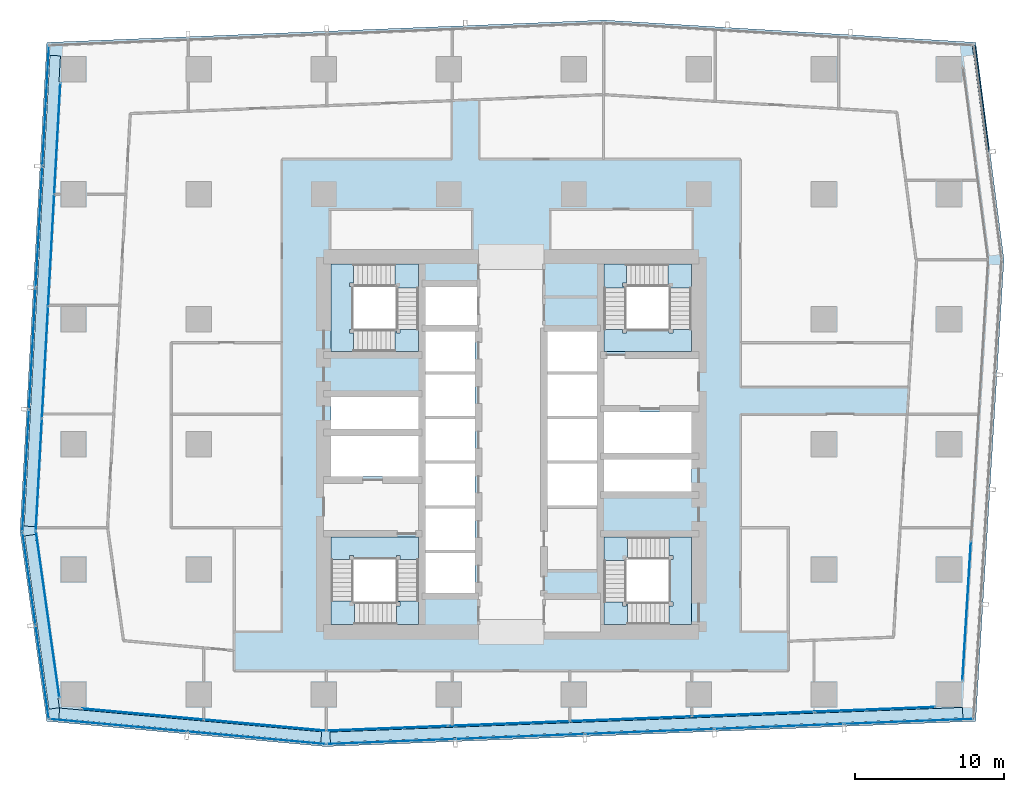
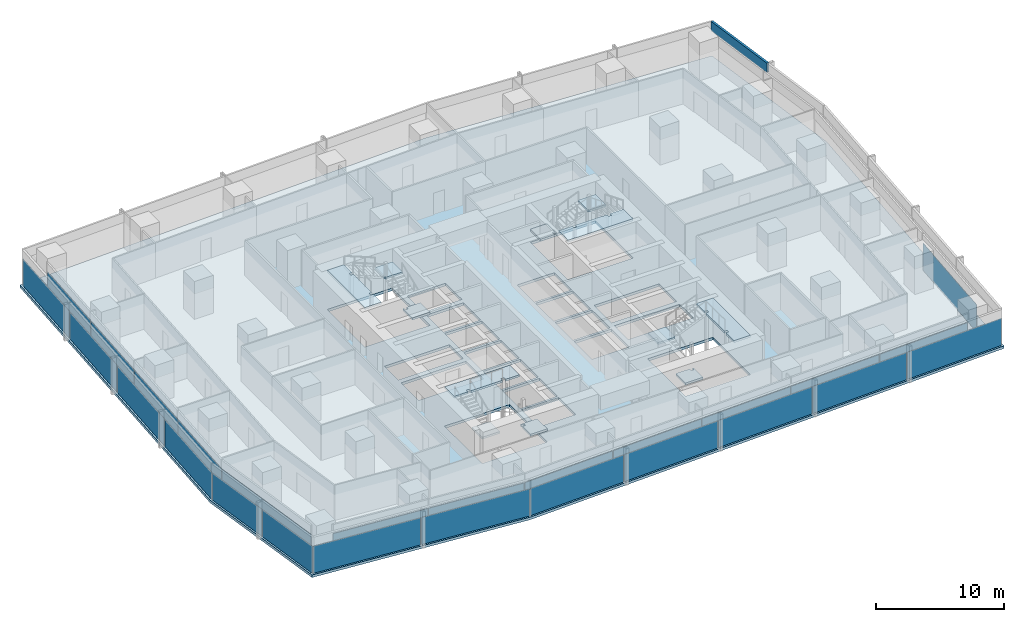
# One storey, part 27 of 40: 30 plates, 13 slabs, 1 member, 14 elements without a shape of their own.
"""IFC4 building model written with IfcOpenShell, lengths in metres."""

from ifc_helpers import new_model, si_unit, direction, frame, origin, origin_2d, place, context, subcontext, project, spatial, polyline, rectangle, hollow_rectangle, outline, extrude, material, layer, layer_set, material_profile, profile_set, type_object, element, aggregate, save


model = new_model("IFC4")

# Units and contexts
model_context = context("Model", 3, precision=1e-05, world=origin(), true_north=direction((0.0, 1.0)))
body_context = subcontext(model_context, "Body", "Model", "MODEL_VIEW")
ifc_project = project(units=[si_unit("LENGTHUNIT", "METRE"), si_unit("AREAUNIT", "SQUARE_METRE"), si_unit("VOLUMEUNIT", "CUBIC_METRE"), si_unit("PLANEANGLEUNIT", "RADIAN"), si_unit("MASSUNIT", "GRAM", prefix="KILO")], contexts=[model_context])

# Site, building, storey
site_placement = place(None, origin())
site = spatial("IfcSite", under=ifc_project, at=site_placement, CompositionType="ELEMENT")
building_placement = place(site_placement, origin())
building = spatial("IfcBuilding", under=site, at=building_placement, Name="Rekha Terrace Tower", CompositionType="ELEMENT")
storey_placement = place(building_placement, frame((0.0, 0.0, 117.800048828125)))
storey = spatial("IfcBuildingStorey", under=building, at=storey_placement, Name="L29", CompositionType="ELEMENT", Elevation=117.800048828125)

# Curtain wall, member
ifc_material_1 = material(Name="Aluminium framing", Category="aluminium")
curtain_wall_type_1 = type_object("IfcCurtainWallType", Name="CW2 double skin outer glazing", PredefinedType="USERDEFINED", material=ifc_material_1)
curtain_wall_1_placement = place(storey_placement, origin())
curtain_wall_1 = element("IfcCurtainWall", 1, at=curtain_wall_1_placement, inside=storey, type_object=curtain_wall_type_1, Name="CW2 double skin outer glazing", ObjectType="DOUBLE SKIN OUTER GLAZING", PredefinedType="USERDEFINED")
ifc_material_2 = material(Name="Insulated aluminium spandrel box", Category="aluminium")
ifc_material_profile = material_profile(ifc_material_2, hollow_rectangle(XDim=0.199951171875, YDim=0.89990234375, WallThickness=0.0029296875, at=origin_2d()), Name="AL SPANDREL BOX 200x900")
ifc_profile_set = profile_set([ifc_material_profile], Name="Insulated aluminium spandrel box")
member_type = type_object("IfcMemberType", Name="CW2 spandrel transom 200 x 900", PredefinedType="USERDEFINED", material=ifc_profile_set)
member_placement = place(storey_placement, frame((69.793701171875, 53.26513671875, 3.050048828125), z_axis=(-0.12912937971, 0.9916277544, 0.0), x_axis=(-0.9916277544, -0.12912937971, 0.0)))
member = element("IfcMember", 2, at=member_placement, type_object=member_type, Name="CW2 spandrel transom 2", ObjectType="TRANSOM", PredefinedType="USERDEFINED", context=body_context, shape_type="SweptSolid", body=[
    extrude(hollow_rectangle(XDim=0.199951171875, YDim=0.89990234375, WallThickness=0.0029296875, at=origin_2d()), origin(), (0.0, 0.0, 1.0), 7.163818359375),
])
aggregate(curtain_wall_1, [member])

# Curtain wall, plates
curtain_wall_type_2 = type_object("IfcCurtainWallType", Name="CW1 double skin inner glazing", PredefinedType="USERDEFINED", material=ifc_material_1)
curtain_wall_2_placement = place(storey_placement, origin())
curtain_wall_2 = element("IfcCurtainWall", 3, at=curtain_wall_2_placement, inside=storey, type_object=curtain_wall_type_2, Name="CW1 double skin inner glazing", ObjectType="DOUBLE SKIN INNER GLAZING", PredefinedType="USERDEFINED")
ifc_material_3 = material(Name="Double-glazed low-e unit 32", Category="glass")
ifc_layer_1 = layer(ifc_material_3, 0.031982421875)
ifc_layer_set_1 = layer_set([ifc_layer_1], Name="Double-glazed low-e unit 32")
plate_type_1 = type_object("IfcPlateType", Name="CW1 jumbo vision panel, double-glazed low-e unit 32", PredefinedType="CURTAIN_PANEL", material=ifc_layer_set_1)
plate_1_placement = place(storey_placement, frame((13.0439453125, 15.479248046875, 0.0), z_axis=(0.0, 0.0, 1.0), x_axis=(0.995901923142, -0.090439811381, 0.0)))
plate_1 = element("IfcPlate", 4, at=plate_1_placement, type_object=plate_type_1, Name="CW1 panel 1.1", PredefinedType="CURTAIN_PANEL", context=body_context, shape_type="SweptSolid", body=[
    extrude(rectangle(XDim=8.1494140625, YDim=0.031982421875, at=origin_2d()), origin(), (0.0, 0.0, 1.0), 2.60009765625),
])
plate_2_placement = place(storey_placement, frame((21.257080078125, 14.7333984375, 0.0), z_axis=(0.0, 0.0, 1.0), x_axis=(0.995901923142, -0.090439811381, 0.0)))
plate_2 = element("IfcPlate", 5, at=plate_2_placement, type_object=plate_type_1, Name="CW1 panel 2.1", PredefinedType="CURTAIN_PANEL", context=body_context, shape_type="SweptSolid", body=[
    extrude(rectangle(XDim=8.214599609375, YDim=0.031982421875, at=origin_2d()), origin(), (0.0, 0.0, 1.0), 2.60009765625),
])
aggregate(curtain_wall_2, [plate_1, plate_2])

curtain_wall_3_placement = place(storey_placement, origin())
curtain_wall_3 = element("IfcCurtainWall", 6, at=curtain_wall_3_placement, inside=storey, type_object=curtain_wall_type_2, Name="CW1 double skin inner glazing", ObjectType="DOUBLE SKIN INNER GLAZING", PredefinedType="USERDEFINED")
plate_3_placement = place(storey_placement, frame((29.4619140625, 14.52197265625, 0.0), z_axis=(0.0, 0.0, 1.0), x_axis=(0.999243498917, 0.038889971345, 0.0)))
plate_3 = element("IfcPlate", 7, at=plate_3_placement, type_object=plate_type_1, Name="CW1 panel 1.1", PredefinedType="CURTAIN_PANEL", context=body_context, shape_type="SweptSolid", body=[
    extrude(rectangle(XDim=8.105224609375, YDim=0.031982421875, at=origin_2d()), origin(), (0.0, 0.0, 1.0), 2.60009765625),
])
plate_4_placement = place(storey_placement, frame((37.64208984375, 14.84033203125, 0.0), z_axis=(0.0, 0.0, 1.0), x_axis=(0.999243498917, 0.038889971345, 0.0)))
plate_4 = element("IfcPlate", 8, at=plate_4_placement, type_object=plate_type_1, Name="CW1 panel 2.1", PredefinedType="CURTAIN_PANEL", context=body_context, shape_type="SweptSolid", body=[
    extrude(rectangle(XDim=8.1376953125, YDim=0.031982421875, at=origin_2d()), origin(), (0.0, 0.0, 1.0), 2.60009765625),
])
plate_5_placement = place(storey_placement, frame((45.838623046875, 15.159423828125, 0.0), z_axis=(0.0, 0.0, 1.0), x_axis=(0.999243498917, 0.038889971345, 0.0)))
plate_5 = element("IfcPlate", 9, at=plate_5_placement, type_object=plate_type_1, Name="CW1 panel 3.1", PredefinedType="CURTAIN_PANEL", context=body_context, shape_type="SweptSolid", body=[
    extrude(rectangle(XDim=8.1376953125, YDim=0.031982421875, at=origin_2d()), origin(), (0.0, 0.0, 1.0), 2.60009765625),
])
plate_6_placement = place(storey_placement, frame((54.034912109375, 15.478271484375, 0.0), z_axis=(0.0, 0.0, 1.0), x_axis=(0.999243498917, 0.038889971345, 0.0)))
plate_6 = element("IfcPlate", 10, at=plate_6_placement, type_object=plate_type_1, Name="CW1 panel 4.1", PredefinedType="CURTAIN_PANEL", context=body_context, shape_type="SweptSolid", body=[
    extrude(rectangle(XDim=8.1376953125, YDim=0.031982421875, at=origin_2d()), origin(), (0.0, 0.0, 1.0), 2.60009765625),
])
plate_7_placement = place(storey_placement, frame((62.21533203125, 15.796630859375, 0.0), z_axis=(0.0, 0.0, 1.0), x_axis=(0.999243498917, 0.038889971345, 0.0)))
plate_7 = element("IfcPlate", 11, at=plate_7_placement, type_object=plate_type_1, Name="CW1 panel 5.1", PredefinedType="CURTAIN_PANEL", context=body_context, shape_type="SweptSolid", body=[
    extrude(rectangle(XDim=8.105224609375, YDim=0.031982421875, at=origin_2d()), origin(), (0.0, 0.0, 1.0), 2.60009765625),
])
aggregate(curtain_wall_3, [plate_3, plate_4, plate_5, plate_6, plate_7])

# Curtain wall, plate
curtain_wall_4_placement = place(storey_placement, origin())
curtain_wall_4 = element("IfcCurtainWall", 12, at=curtain_wall_4_placement, inside=storey, type_object=curtain_wall_type_2, Name="CW1 double skin inner glazing", ObjectType="DOUBLE SKIN INNER GLAZING", PredefinedType="USERDEFINED")
plate_8_placement = place(storey_placement, frame((68.391357421875, 22.400634765625, 0.0), z_axis=(0.0, 0.0, 1.0), x_axis=(0.061159803131, 0.998127987024, 0.0)))
plate_8 = element("IfcPlate", 13, at=plate_8_placement, type_object=plate_type_1, Name="CW1 panel 1.1", PredefinedType="CURTAIN_PANEL", context=body_context, shape_type="SweptSolid", body=[
    extrude(rectangle(XDim=9.355224609375, YDim=0.031982421875, at=origin_2d()), origin(), (0.0, 0.0, 1.0), 2.60009765625),
])
aggregate(curtain_wall_4, [plate_8])

# Curtain wall, plates
curtain_wall_5_placement = place(storey_placement, origin())
curtain_wall_5 = element("IfcCurtainWall", 14, at=curtain_wall_5_placement, inside=storey, type_object=curtain_wall_type_2, Name="CW1 double skin inner glazing", ObjectType="DOUBLE SKIN INNER GLAZING", PredefinedType="USERDEFINED")
plate_9_placement = place(storey_placement, frame((7.30810546875, 54.15087890625, 0.0), z_axis=(0.0, 0.0, 1.0), x_axis=(-0.054742352707, -0.99850051318, 0.0)))
plate_9 = element("IfcPlate", 15, at=plate_9_placement, type_object=plate_type_1, Name="CW1 panel 1.1", PredefinedType="CURTAIN_PANEL", context=body_context, shape_type="SweptSolid", body=[
    extrude(rectangle(XDim=7.443359375, YDim=0.031982421875, at=origin_2d()), origin(), (0.0, 0.0, 1.0), 2.60009765625),
])
plate_10_placement = place(storey_placement, frame((6.89599609375, 46.637451171875, 0.0), z_axis=(0.0, 0.0, 1.0), x_axis=(-0.054742352707, -0.99850051318, 0.0)))
plate_10 = element("IfcPlate", 16, at=plate_10_placement, type_object=plate_type_1, Name="CW1 panel 2.1", PredefinedType="CURTAIN_PANEL", context=body_context, shape_type="SweptSolid", body=[
    extrude(rectangle(XDim=7.475830078125, YDim=0.031982421875, at=origin_2d()), origin(), (0.0, 0.0, 1.0), 2.60009765625),
])
plate_11_placement = place(storey_placement, frame((6.4833984375, 39.10791015625, 0.0), z_axis=(0.0, 0.0, 1.0), x_axis=(-0.054742352707, -0.99850051318, 0.0)))
plate_11 = element("IfcPlate", 17, at=plate_11_placement, type_object=plate_type_1, Name="CW1 panel 3.1", PredefinedType="CURTAIN_PANEL", context=body_context, shape_type="SweptSolid", body=[
    extrude(rectangle(XDim=7.475830078125, YDim=0.031982421875, at=origin_2d()), origin(), (0.0, 0.0, 1.0), 2.60009765625),
])
plate_12_placement = place(storey_placement, frame((6.069580078125, 31.56201171875, 0.0), z_axis=(0.0, 0.0, 1.0), x_axis=(-0.054742352707, -0.99850051318, 0.0)))
plate_12 = element("IfcPlate", 18, at=plate_12_placement, type_object=plate_type_1, Name="CW1 panel 4.1", PredefinedType="CURTAIN_PANEL", context=body_context, shape_type="SweptSolid", body=[
    extrude(rectangle(XDim=7.508544921875, YDim=0.031982421875, at=origin_2d()), origin(), (0.0, 0.0, 1.0), 2.60009765625),
])
aggregate(curtain_wall_5, [plate_9, plate_10, plate_11, plate_12])

# Curtain wall, plate
curtain_wall_6_placement = place(storey_placement, origin())
curtain_wall_6 = element("IfcCurtainWall", 19, at=curtain_wall_6_placement, inside=storey, type_object=curtain_wall_type_2, Name="CW1 double skin inner glazing", ObjectType="DOUBLE SKIN INNER GLAZING", PredefinedType="USERDEFINED")
plate_13_placement = place(storey_placement, frame((6.65869140625, 22.177490234375, 0.0), z_axis=(0.0, 0.0, 1.0), x_axis=(0.139597048082, -0.990208394312, 0.0)))
plate_13 = element("IfcPlate", 20, at=plate_13_placement, type_object=plate_type_1, Name="CW1 panel 1.1", PredefinedType="CURTAIN_PANEL", context=body_context, shape_type="SweptSolid", body=[
    extrude(rectangle(XDim=11.253173828125, YDim=0.031982421875, at=origin_2d()), origin(), (0.0, 0.0, 1.0), 2.60009765625),
])
aggregate(curtain_wall_6, [plate_13])

# Curtain wall, plates
curtain_wall_7_placement = place(storey_placement, origin())
curtain_wall_7 = element("IfcCurtainWall", 21, at=curtain_wall_7_placement, inside=storey, type_object=curtain_wall_type_1, Name="CW2 double skin outer glazing", ObjectType="DOUBLE SKIN OUTER GLAZING", PredefinedType="USERDEFINED")
ifc_material_4 = material(Name="Toughened single glazing 12", Category="glass")
ifc_layer_2 = layer(ifc_material_4, 0.011962890625)
ifc_layer_set_2 = layer_set([ifc_layer_2], Name="Toughened single glazing 12")
plate_type_2 = type_object("IfcPlateType", Name="CW2 jumbo vision panel, toughened single glazing 12", PredefinedType="CURTAIN_PANEL", material=ifc_layer_set_2)
plate_14_placement = place(storey_placement, frame((11.406494140625, 14.72412109375, 0.0), z_axis=(0.0, 0.0, 1.0), x_axis=(0.995901923137, -0.090439811433, 0.0)))
plate_14 = element("IfcPlate", 22, at=plate_14_placement, type_object=plate_type_2, Name="CW2 panel 1.1", PredefinedType="CURTAIN_PANEL", context=body_context, shape_type="SweptSolid", body=[
    extrude(rectangle(XDim=9.2099609375, YDim=0.011962890625, at=origin_2d()), origin(), (0.0, 0.0, 1.0), 2.60009765625),
])
plate_15_placement = place(storey_placement, frame((20.6982421875, 13.88037109375, 0.0), z_axis=(0.0, 0.0, 1.0), x_axis=(0.995901923137, -0.090439811433, 0.0)))
plate_15 = element("IfcPlate", 23, at=plate_15_placement, type_object=plate_type_2, Name="CW2 panel 2.1", PredefinedType="CURTAIN_PANEL", context=body_context, shape_type="SweptSolid", body=[
    extrude(rectangle(XDim=9.2900390625, YDim=0.011962890625, at=origin_2d()), origin(), (0.0, 0.0, 1.0), 2.60009765625),
])
aggregate(curtain_wall_7, [plate_14, plate_15])

curtain_wall_8_placement = place(storey_placement, origin())
curtain_wall_8 = element("IfcCurtainWall", 24, at=curtain_wall_8_placement, inside=storey, type_object=curtain_wall_type_1, Name="CW2 double skin outer glazing", ObjectType="DOUBLE SKIN OUTER GLAZING", PredefinedType="USERDEFINED")
plate_16_placement = place(storey_placement, frame((29.696533203125, 13.63037109375, 0.0), z_axis=(0.0, 0.0, 1.0), x_axis=(0.999243498917, 0.038889971345, 0.0)))
plate_16 = element("IfcPlate", 25, at=plate_16_placement, type_object=plate_type_2, Name="CW2 panel 1.1", PredefinedType="CURTAIN_PANEL", context=body_context, shape_type="SweptSolid", body=[
    extrude(rectangle(XDim=8.591552734375, YDim=0.011962890625, at=origin_2d()), origin(), (0.0, 0.0, 1.0), 2.60009765625),
])
plate_17_placement = place(storey_placement, frame((38.381591796875, 13.968505859375, 0.0), z_axis=(0.0, 0.0, 1.0), x_axis=(0.999243498917, 0.038889971345, 0.0)))
plate_17 = element("IfcPlate", 26, at=plate_17_placement, type_object=plate_type_2, Name="CW2 panel 2.1", PredefinedType="CURTAIN_PANEL", context=body_context, shape_type="SweptSolid", body=[
    extrude(rectangle(XDim=8.631591796875, YDim=0.011962890625, at=origin_2d()), origin(), (0.0, 0.0, 1.0), 2.60009765625),
])
plate_18_placement = place(storey_placement, frame((47.086669921875, 14.307373046875, 0.0), z_axis=(0.0, 0.0, 1.0), x_axis=(0.999243498917, 0.038889971345, 0.0)))
plate_18 = element("IfcPlate", 27, at=plate_18_placement, type_object=plate_type_2, Name="CW2 panel 3.1", PredefinedType="CURTAIN_PANEL", context=body_context, shape_type="SweptSolid", body=[
    extrude(rectangle(XDim=8.631591796875, YDim=0.011962890625, at=origin_2d()), origin(), (0.0, 0.0, 1.0), 2.60009765625),
])
plate_19_placement = place(storey_placement, frame((55.791748046875, 14.64599609375, 0.0), z_axis=(0.0, 0.0, 1.0), x_axis=(0.999243498917, 0.038889971345, 0.0)))
plate_19 = element("IfcPlate", 28, at=plate_19_placement, type_object=plate_type_2, Name="CW2 panel 4.1", PredefinedType="CURTAIN_PANEL", context=body_context, shape_type="SweptSolid", body=[
    extrude(rectangle(XDim=8.631591796875, YDim=0.011962890625, at=origin_2d()), origin(), (0.0, 0.0, 1.0), 2.60009765625),
])
plate_20_placement = place(storey_placement, frame((64.5166015625, 14.985595703125, 0.0), z_axis=(0.0, 0.0, 1.0), x_axis=(0.999243498917, 0.038889971345, 0.0)))
plate_20 = element("IfcPlate", 29, at=plate_20_placement, type_object=plate_type_2, Name="CW2 panel 5.1", PredefinedType="CURTAIN_PANEL", context=body_context, shape_type="SweptSolid", body=[
    extrude(rectangle(XDim=8.671630859375, YDim=0.011962890625, at=origin_2d()), origin(), (0.0, 0.0, 1.0), 2.60009765625),
])
aggregate(curtain_wall_8, [plate_16, plate_17, plate_18, plate_19, plate_20])

curtain_wall_9_placement = place(storey_placement, origin())
curtain_wall_9 = element("IfcCurtainWall", 30, at=curtain_wall_9_placement, inside=storey, type_object=curtain_wall_type_1, Name="CW2 double skin outer glazing", ObjectType="DOUBLE SKIN OUTER GLAZING", PredefinedType="USERDEFINED")
plate_21_placement = place(storey_placement, frame((6.52685546875, 56.342041015625, 0.0), z_axis=(0.0, 0.0, 1.0), x_axis=(-0.054742352707, -0.99850051318, 0.0)))
plate_21 = element("IfcPlate", 31, at=plate_21_placement, type_object=plate_type_2, Name="CW2 panel 1.1", PredefinedType="CURTAIN_PANEL", context=body_context, shape_type="SweptSolid", body=[
    extrude(rectangle(XDim=8.06005859375, YDim=0.011962890625, at=origin_2d()), origin(), (0.0, 0.0, 1.0), 2.60009765625),
])
plate_22_placement = place(storey_placement, frame((6.080078125, 48.1943359375, 0.0), z_axis=(0.0, 0.0, 1.0), x_axis=(-0.054742352707, -0.99850051318, 0.0)))
plate_22 = element("IfcPlate", 32, at=plate_22_placement, type_object=plate_type_2, Name="CW2 panel 2.1", PredefinedType="CURTAIN_PANEL", context=body_context, shape_type="SweptSolid", body=[
    extrude(rectangle(XDim=8.10009765625, YDim=0.011962890625, at=origin_2d()), origin(), (0.0, 0.0, 1.0), 2.60009765625),
])
plate_23_placement = place(storey_placement, frame((5.63232421875, 40.026611328125, 0.0), z_axis=(0.0, 0.0, 1.0), x_axis=(-0.054742352707, -0.99850051318, 0.0)))
plate_23 = element("IfcPlate", 33, at=plate_23_placement, type_object=plate_type_2, Name="CW2 panel 3.1", PredefinedType="CURTAIN_PANEL", context=body_context, shape_type="SweptSolid", body=[
    extrude(rectangle(XDim=8.10009765625, YDim=0.011962890625, at=origin_2d()), origin(), (0.0, 0.0, 1.0), 2.60009765625),
])
plate_24_placement = place(storey_placement, frame((5.183349609375, 31.8388671875, 0.0), z_axis=(0.0, 0.0, 1.0), x_axis=(-0.054742352707, -0.99850051318, 0.0)))
plate_24 = element("IfcPlate", 34, at=plate_24_placement, type_object=plate_type_2, Name="CW2 panel 4.1", PredefinedType="CURTAIN_PANEL", context=body_context, shape_type="SweptSolid", body=[
    extrude(rectangle(XDim=8.14013671875, YDim=0.011962890625, at=origin_2d()), origin(), (0.0, 0.0, 1.0), 2.60009765625),
])
aggregate(curtain_wall_9, [plate_21, plate_22, plate_23, plate_24])

curtain_wall_10_placement = place(storey_placement, origin())
curtain_wall_10 = element("IfcCurtainWall", 35, at=curtain_wall_10_placement, inside=storey, type_object=curtain_wall_type_1, Name="CW2 double skin outer glazing", ObjectType="DOUBLE SKIN OUTER GLAZING", PredefinedType="USERDEFINED")
plate_25_placement = place(storey_placement, frame((5.408447265625, 24.598388671875, 0.0), z_axis=(0.0, 0.0, 1.0), x_axis=(0.139597048082, -0.990208394312, 0.0)))
plate_25 = element("IfcPlate", 36, at=plate_25_placement, type_object=plate_type_2, Name="CW2 panel 1.1", PredefinedType="CURTAIN_PANEL", context=body_context, shape_type="SweptSolid", body=[
    extrude(rectangle(XDim=6.255859375, YDim=0.011962890625, at=origin_2d()), origin(), (0.0, 0.0, 1.0), 2.60009765625),
])
plate_26_placement = place(storey_placement, frame((6.298583984375, 18.284912109375, 0.0), z_axis=(0.0, 0.0, 1.0), x_axis=(0.139597048082, -0.990208394312, 0.0)))
plate_26 = element("IfcPlate", 37, at=plate_26_placement, type_object=plate_type_2, Name="CW2 panel 2.1", PredefinedType="CURTAIN_PANEL", context=body_context, shape_type="SweptSolid", body=[
    extrude(rectangle(XDim=6.3359375, YDim=0.011962890625, at=origin_2d()), origin(), (0.0, 0.0, 1.0), 2.60009765625),
])
aggregate(curtain_wall_10, [plate_25, plate_26])

# Plates
ifc_material_5 = material(Name="Galvanised steel open grating", Category="steel")
ifc_layer_3 = layer(ifc_material_5, 0.050048828125)
ifc_layer_set_3 = layer_set([ifc_layer_3], Name="Galvanised steel open grating")
plate_type_3 = type_object("IfcPlateType", Name="GT1 cavity walkway grating 50", PredefinedType="USERDEFINED", material=ifc_layer_set_3)
plate_27_placement = place(storey_placement, frame((16.236083984375, 14.737548828125, 0.0), z_axis=(0.0, 0.0, 1.0), x_axis=(0.99590192314, -0.090439811399, 0.0)))
element("IfcPlate", 38, at=plate_27_placement, inside=storey, type_object=plate_type_3, Name="Cavity walkway grating", ObjectType="CAVITY WALKWAY GRATING", PredefinedType="USERDEFINED", context=body_context, shape_type="SweptSolid", body=[
    extrude(rectangle(XDim=17.674072265625, YDim=0.705078125, at=origin_2d()), origin(), (0.0, 0.0, 1.0), 0.050048828125),
])
plate_28_placement = place(storey_placement, frame((46.88037109375, 14.74951171875, 0.0), z_axis=(0.0, 0.0, 1.0), x_axis=(0.999243498917, 0.038889971345, 0.0)))
element("IfcPlate", 39, at=plate_28_placement, inside=storey, type_object=plate_type_3, Name="Cavity walkway grating", ObjectType="CAVITY WALKWAY GRATING", PredefinedType="USERDEFINED", context=body_context, shape_type="SweptSolid", body=[
    extrude(rectangle(XDim=42.521728515625, YDim=0.705078125, at=origin_2d()), origin(), (0.0, 0.0, 1.0), 0.050048828125),
])
plate_29_placement = place(storey_placement, frame((6.295654296875, 43.9033203125, 0.0), z_axis=(0.0, 0.0, 1.0), x_axis=(-0.05474235269, -0.998500513181, 0.0)))
element("IfcPlate", 40, at=plate_29_placement, inside=storey, type_object=plate_type_3, Name="Cavity walkway grating", ObjectType="CAVITY WALKWAY GRATING", PredefinedType="USERDEFINED", context=body_context, shape_type="SweptSolid", body=[
    extrude(rectangle(XDim=31.6669921875, YDim=0.705078125, at=origin_2d()), origin(), (0.0, 0.0, 1.0), 0.050048828125),
])
plate_30_placement = place(storey_placement, frame((6.2744140625, 21.678955078125, 0.0), z_axis=(0.0, 0.0, 1.0), x_axis=(0.139597048064, -0.990208394315, 0.0)))
element("IfcPlate", 41, at=plate_30_placement, inside=storey, type_object=plate_type_3, Name="Cavity walkway grating", ObjectType="CAVITY WALKWAY GRATING", PredefinedType="USERDEFINED", context=body_context, shape_type="SweptSolid", body=[
    extrude(rectangle(XDim=11.751220703125, YDim=0.705078125, at=origin_2d()), origin(), (0.0, 0.0, 1.0), 0.050048828125),
])

# Stair, slabs
ifc_material_6 = material(Name="Concrete M40", Category="concrete")
stair_type = type_object("IfcStairType", Name="ST30 stair, 30 risers of 125, going 310, 1500 wide flights, 3 flights", PredefinedType="HALF_TURN_STAIR", material=ifc_material_6)
stair_1_placement = place(storey_placement, origin())
stair_1 = element("IfcStair", 42, at=stair_1_placement, inside=storey, type_object=stair_type, Name="Stair ST1 L29 to L30", PredefinedType="HALF_TURN_STAIR")
ifc_layer_4 = layer(ifc_material_6, 0.199951171875)
ifc_layer_set_4 = layer_set([ifc_layer_4], Name="Concrete M40")
slab_type_1 = type_object("IfcSlabType", Name="LD1 200 concrete stair landing", PredefinedType="LANDING", material=ifc_layer_set_4)
slab_1_placement = place(storey_placement, frame((0.0, 0.0, 1.050048828125)))
slab_1 = element("IfcSlab", 43, at=slab_1_placement, type_object=slab_type_1, Name="ST1 landing 1", PredefinedType="LANDING", context=body_context, shape_type="SweptSolid", body=[
    extrude(outline(polyline([(30.074951171875, 21.5), (31.574951171875, 21.5), (31.574951171875, 23.0849609375), (30.074951171875, 23.0849609375), (30.074951171875, 23.0), (30.324951171875, 23.0), (30.324951171875, 22.75), (30.074951171875, 22.75), (30.074951171875, 21.5)])), origin(), (0.0, 0.0, 1.0), 0.199951171875),
])
slab_2_placement = place(storey_placement, frame((0.0, 0.0, 2.300048828125)))
slab_2 = element("IfcSlab", 44, at=slab_2_placement, type_object=slab_type_1, Name="ST1 landing 2", PredefinedType="LANDING", context=body_context, shape_type="SweptSolid", body=[
    extrude(outline(polyline([(27.199951171875, 23.0849609375), (25.699951171875, 23.0849609375), (25.699951171875, 21.5), (27.284912109375, 21.5), (27.284912109375, 23.0), (27.199951171875, 23.0), (27.199951171875, 23.0849609375)])), origin(), (0.0, 0.0, 1.0), 0.199951171875),
])
slab_3_placement = place(storey_placement, frame((0.0, 0.0, 3.550048828125)))
slab_3 = element("IfcSlab", 45, at=slab_3_placement, type_object=slab_type_1, Name="ST1 landing 3", PredefinedType="LANDING", context=body_context, shape_type="SweptSolid", body=[
    extrude(outline(polyline([(31.574951171875, 25.875), (31.574951171875, 27.375), (25.699951171875, 27.375), (25.699951171875, 25.875), (26.949951171875, 25.875), (26.949951171875, 26.125), (27.199951171875, 26.125), (27.199951171875, 25.875), (30.074951171875, 25.875), (30.074951171875, 26.125), (30.324951171875, 26.125), (30.324951171875, 25.875), (31.574951171875, 25.875)])), origin(), (0.0, 0.0, 1.0), 0.199951171875),
])
aggregate(stair_1, [slab_1, slab_2, slab_3])

stair_2_placement = place(storey_placement, origin())
stair_2 = element("IfcStair", 46, at=stair_2_placement, inside=storey, type_object=stair_type, Name="Stair ST2 L29 to L30", PredefinedType="HALF_TURN_STAIR")
slab_4_placement = place(storey_placement, frame((0.0, 0.0, 1.050048828125)))
slab_4 = element("IfcSlab", 47, at=slab_4_placement, type_object=slab_type_1, Name="ST2 landing 1", PredefinedType="LANDING", context=body_context, shape_type="SweptSolid", body=[
    extrude(outline(polyline([(45.52490234375, 45.699951171875), (44.02490234375, 45.699951171875), (44.02490234375, 44.114990234375), (45.52490234375, 44.114990234375), (45.52490234375, 44.199951171875), (45.27490234375, 44.199951171875), (45.27490234375, 44.449951171875), (45.52490234375, 44.449951171875), (45.52490234375, 45.699951171875)])), origin(), (0.0, 0.0, 1.0), 0.199951171875),
])
slab_5_placement = place(storey_placement, frame((0.0, 0.0, 2.300048828125)))
slab_5 = element("IfcSlab", 48, at=slab_5_placement, type_object=slab_type_1, Name="ST2 landing 2", PredefinedType="LANDING", context=body_context, shape_type="SweptSolid", body=[
    extrude(outline(polyline([(48.39990234375, 44.114990234375), (49.89990234375, 44.114990234375), (49.89990234375, 45.699951171875), (48.31494140625, 45.699951171875), (48.31494140625, 44.199951171875), (48.39990234375, 44.199951171875), (48.39990234375, 44.114990234375)])), origin(), (0.0, 0.0, 1.0), 0.199951171875),
])
slab_6_placement = place(storey_placement, frame((0.0, 0.0, 3.550048828125)))
slab_6 = element("IfcSlab", 49, at=slab_6_placement, type_object=slab_type_1, Name="ST2 landing 3", PredefinedType="LANDING", context=body_context, shape_type="SweptSolid", body=[
    extrude(outline(polyline([(44.02490234375, 41.324951171875), (44.02490234375, 39.824951171875), (49.89990234375, 39.824951171875), (49.89990234375, 41.324951171875), (48.64990234375, 41.324951171875), (48.64990234375, 41.074951171875), (48.39990234375, 41.074951171875), (48.39990234375, 41.324951171875), (45.52490234375, 41.324951171875), (45.52490234375, 41.074951171875), (45.27490234375, 41.074951171875), (45.27490234375, 41.324951171875), (44.02490234375, 41.324951171875)])), origin(), (0.0, 0.0, 1.0), 0.199951171875),
])
aggregate(stair_2, [slab_4, slab_5, slab_6])

stair_3_placement = place(storey_placement, origin())
stair_3 = element("IfcStair", 50, at=stair_3_placement, inside=storey, type_object=stair_type, Name="Stair ST3 L29 to L30", PredefinedType="HALF_TURN_STAIR")
slab_7_placement = place(storey_placement, frame((0.0, 0.0, 1.050048828125)))
slab_7 = element("IfcSlab", 51, at=slab_7_placement, type_object=slab_type_1, Name="ST3 landing 1", PredefinedType="LANDING", context=body_context, shape_type="SweptSolid", body=[
    extrude(outline(polyline([(44.02490234375, 23.0), (44.02490234375, 21.5), (45.610107421875, 21.5), (45.610107421875, 23.0), (45.52490234375, 23.0), (45.52490234375, 22.75), (45.27490234375, 22.75), (45.27490234375, 23.0), (44.02490234375, 23.0)])), origin(), (0.0, 0.0, 1.0), 0.199951171875),
])
slab_8_placement = place(storey_placement, frame((0.0, 0.0, 2.300048828125)))
slab_8 = element("IfcSlab", 52, at=slab_8_placement, type_object=slab_type_1, Name="ST3 landing 2", PredefinedType="LANDING", context=body_context, shape_type="SweptSolid", body=[
    extrude(outline(polyline([(45.610107421875, 25.875), (45.610107421875, 27.375), (44.02490234375, 27.375), (44.02490234375, 25.7900390625), (45.52490234375, 25.7900390625), (45.52490234375, 25.875), (45.610107421875, 25.875)])), origin(), (0.0, 0.0, 1.0), 0.199951171875),
])
slab_9_placement = place(storey_placement, frame((0.0, 0.0, 3.550048828125)))
slab_9 = element("IfcSlab", 53, at=slab_9_placement, type_object=slab_type_1, Name="ST3 landing 3", PredefinedType="LANDING", context=body_context, shape_type="SweptSolid", body=[
    extrude(outline(polyline([(48.39990234375, 21.5), (49.89990234375, 21.5), (49.89990234375, 27.375), (48.39990234375, 27.375), (48.39990234375, 26.125), (48.64990234375, 26.125), (48.64990234375, 25.875), (48.39990234375, 25.875), (48.39990234375, 23.0), (48.64990234375, 23.0), (48.64990234375, 22.75), (48.39990234375, 22.75), (48.39990234375, 21.5)])), origin(), (0.0, 0.0, 1.0), 0.199951171875),
])
aggregate(stair_3, [slab_7, slab_8, slab_9])

stair_4_placement = place(storey_placement, origin())
stair_4 = element("IfcStair", 54, at=stair_4_placement, inside=storey, type_object=stair_type, Name="Stair ST4 L29 to L30", PredefinedType="HALF_TURN_STAIR")
slab_10_placement = place(storey_placement, frame((0.0, 0.0, 1.050048828125)))
slab_10 = element("IfcSlab", 55, at=slab_10_placement, type_object=slab_type_1, Name="ST4 landing 1", PredefinedType="LANDING", context=body_context, shape_type="SweptSolid", body=[
    extrude(outline(polyline([(31.574951171875, 41.324951171875), (31.574951171875, 39.824951171875), (29.989990234375, 39.824951171875), (29.989990234375, 41.324951171875), (30.074951171875, 41.324951171875), (30.074951171875, 41.074951171875), (30.324951171875, 41.074951171875), (30.324951171875, 41.324951171875), (31.574951171875, 41.324951171875)])), origin(), (0.0, 0.0, 1.0), 0.199951171875),
])
slab_11_placement = place(storey_placement, frame((0.0, 0.0, 2.300048828125)))
slab_11 = element("IfcSlab", 56, at=slab_11_placement, type_object=slab_type_1, Name="ST4 landing 2", PredefinedType="LANDING", context=body_context, shape_type="SweptSolid", body=[
    extrude(outline(polyline([(29.989990234375, 44.199951171875), (29.989990234375, 45.699951171875), (31.574951171875, 45.699951171875), (31.574951171875, 44.114990234375), (30.074951171875, 44.114990234375), (30.074951171875, 44.199951171875), (29.989990234375, 44.199951171875)])), origin(), (0.0, 0.0, 1.0), 0.199951171875),
])
slab_12_placement = place(storey_placement, frame((0.0, 0.0, 3.550048828125)))
slab_12 = element("IfcSlab", 57, at=slab_12_placement, type_object=slab_type_1, Name="ST4 landing 3", PredefinedType="LANDING", context=body_context, shape_type="SweptSolid", body=[
    extrude(outline(polyline([(27.199951171875, 39.824951171875), (25.699951171875, 39.824951171875), (25.699951171875, 45.699951171875), (27.199951171875, 45.699951171875), (27.199951171875, 44.449951171875), (26.949951171875, 44.449951171875), (26.949951171875, 44.199951171875), (27.199951171875, 44.199951171875), (27.199951171875, 41.324951171875), (26.949951171875, 41.324951171875), (26.949951171875, 41.074951171875), (27.199951171875, 41.074951171875), (27.199951171875, 39.824951171875)])), origin(), (0.0, 0.0, 1.0), 0.199951171875),
])
aggregate(stair_4, [slab_10, slab_11, slab_12])

# Slab
ifc_material_7 = material(Name="Concrete M50", Category="concrete")
ifc_layer_5 = layer(ifc_material_7, 0.25)
ifc_layer_set_5 = layer_set([ifc_layer_5], Name="Concrete M50")
slab_type_2 = type_object("IfcSlabType", Name="SL4 250 post-tensioned flat plate", PredefinedType="FLOOR", material=ifc_layer_set_5)
slab_13_placement = place(storey_placement, frame((0.0, 0.0, -0.25)))
element("IfcSlab", 58, at=slab_13_placement, inside=storey, type_object=slab_type_2, Name="Post-tensioned flat plate L29", PredefinedType="FLOOR", context=body_context, shape_type="SweptSolid", body=[
    extrude(outline(polyline([(4.800048828125, 27.76806640625), (6.60009765625, 15.0), (25.320068359375, 13.300048828125), (69.0, 15.0), (70.89990234375, 46.008056640625), (69.0, 60.60009765625), (44.0400390625, 62.10009765625), (6.60009765625, 60.60009765625), (4.800048828125, 27.76806640625)]), holes=[polyline([(31.574951171875, 27.375), (31.574951171875, 21.5), (25.699951171875, 21.5), (25.699951171875, 27.375), (31.574951171875, 27.375)]), polyline([(35.375, 26.300048828125), (35.375, 23.625), (32.02490234375, 23.625), (32.02490234375, 26.300048828125), (35.375, 26.300048828125)]), polyline([(35.375, 29.300048828125), (35.375, 26.5), (32.02490234375, 26.5), (32.02490234375, 29.300048828125), (35.375, 29.300048828125)]), polyline([(35.375, 32.300048828125), (35.375, 29.5), (32.02490234375, 29.5), (32.02490234375, 32.300048828125), (35.375, 32.300048828125)]), polyline([(31.574951171875, 34.175048828125), (31.574951171875, 31.425048828125), (25.699951171875, 31.425048828125), (25.699951171875, 34.175048828125), (31.574951171875, 34.175048828125)]), polyline([(35.375, 35.300048828125), (35.375, 32.5), (32.02490234375, 32.5), (32.02490234375, 35.300048828125), (35.375, 35.300048828125)]), polyline([(31.574951171875, 36.77490234375), (31.574951171875, 34.625), (25.699951171875, 34.625), (25.699951171875, 36.77490234375), (31.574951171875, 36.77490234375)]), polyline([(35.375, 35.5), (32.02490234375, 35.5), (32.02490234375, 38.300048828125), (35.375, 38.300048828125), (35.375, 35.5)]), polyline([(35.375, 38.5), (32.02490234375, 38.5), (32.02490234375, 41.175048828125), (35.375, 41.175048828125), (35.375, 38.5)]), polyline([(31.574951171875, 45.699951171875), (31.574951171875, 39.824951171875), (25.699951171875, 39.824951171875), (25.699951171875, 45.699951171875), (31.574951171875, 45.699951171875)]), polyline([(49.89990234375, 27.375), (49.89990234375, 21.5), (44.02490234375, 21.5), (44.02490234375, 27.375), (49.89990234375, 27.375)]), polyline([(43.574951171875, 32.300048828125), (43.574951171875, 29.5), (40.22509765625, 29.5), (40.22509765625, 32.300048828125), (43.574951171875, 32.300048828125)]), polyline([(49.89990234375, 30.425048828125), (44.02490234375, 30.425048828125), (44.02490234375, 32.574951171875), (49.89990234375, 32.574951171875), (49.89990234375, 30.425048828125)]), polyline([(43.574951171875, 32.5), (40.22509765625, 32.5), (40.22509765625, 35.300048828125), (43.574951171875, 35.300048828125), (43.574951171875, 32.5)]), polyline([(49.89990234375, 35.77490234375), (49.89990234375, 33.02490234375), (44.02490234375, 33.02490234375), (44.02490234375, 35.77490234375), (49.89990234375, 35.77490234375)]), polyline([(43.574951171875, 38.300048828125), (43.574951171875, 35.5), (40.22509765625, 35.5), (40.22509765625, 38.300048828125), (43.574951171875, 38.300048828125)]), polyline([(43.574951171875, 41.175048828125), (43.574951171875, 38.5), (40.22509765625, 38.5), (40.22509765625, 41.175048828125), (43.574951171875, 41.175048828125)]), polyline([(49.89990234375, 39.824951171875), (44.02490234375, 39.824951171875), (44.02490234375, 45.699951171875), (49.89990234375, 45.699951171875), (49.89990234375, 39.824951171875)]), polyline([(35.5, 41.625), (32.02490234375, 41.625), (32.02490234375, 44.175048828125), (35.5, 44.175048828125), (35.5, 41.625)])]), origin(), (0.0, 0.0, 1.0), 0.25),
])

save(model, "model.ifc")
